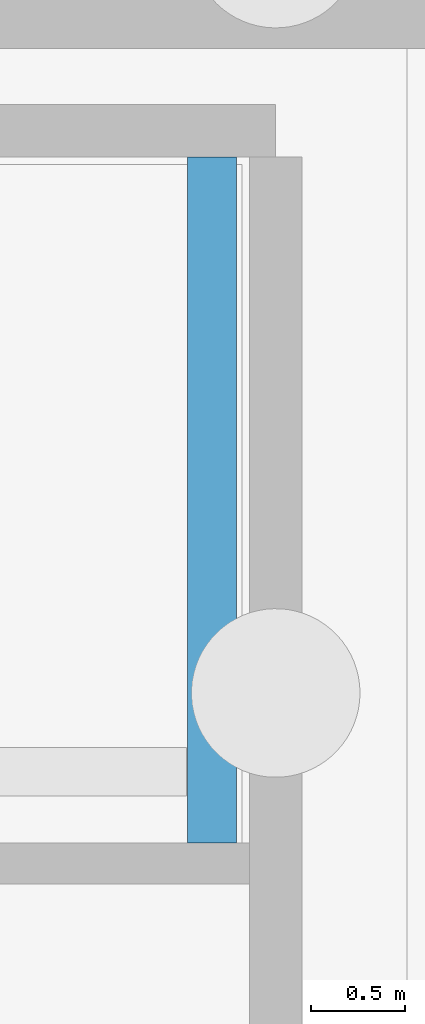
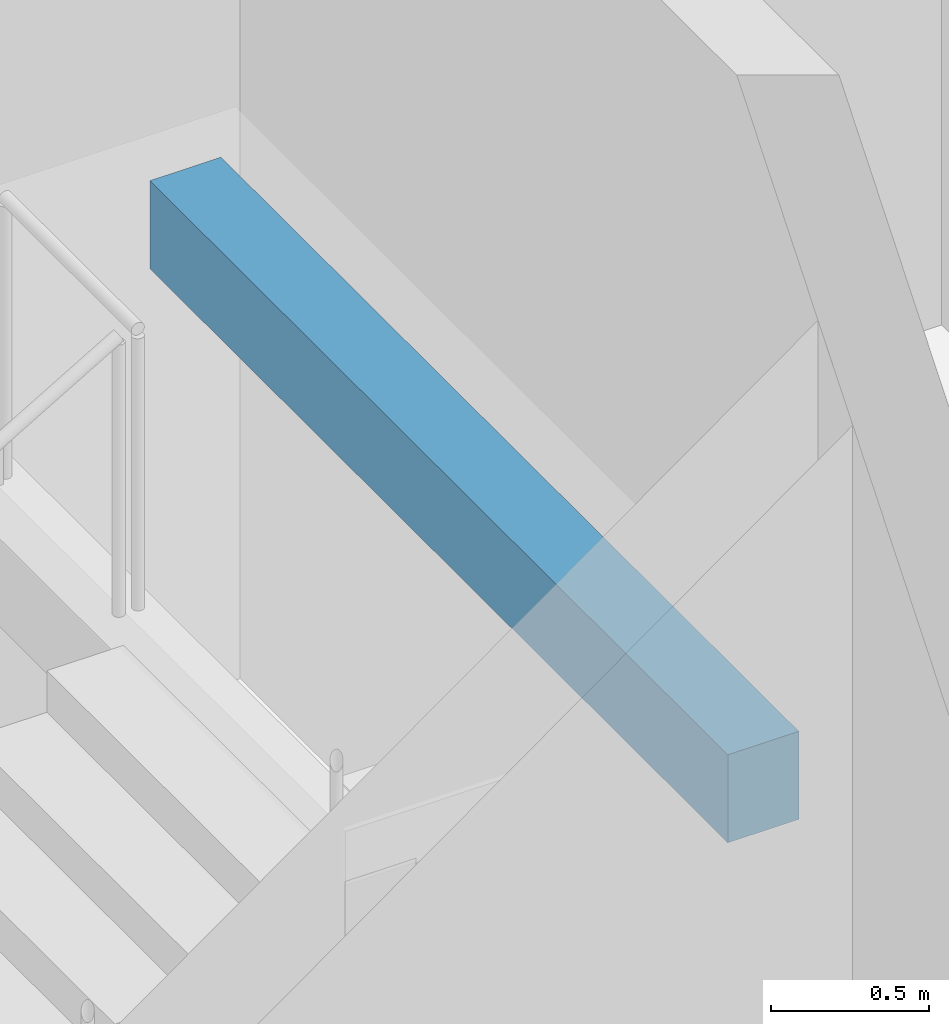
# One storey, part 48 of 98: 1 beam.
"""IFC4 building model written with IfcOpenShell, lengths in metres."""

from ifc_helpers import new_model, si_unit, direction, frame, origin, origin_2d, place, context, subcontext, project, spatial, rectangle, extrude, material, material_profile, profile_set, type_object, element, save


model = new_model("IFC4")

# Units and contexts
model_context = context("Model", 3, precision=1e-05, world=origin(), true_north=direction((0.0, 1.0)))
body_context = subcontext(model_context, "Body", "Model", "MODEL_VIEW")
ifc_project = project(units=[si_unit("LENGTHUNIT", "METRE"), si_unit("AREAUNIT", "SQUARE_METRE"), si_unit("VOLUMEUNIT", "CUBIC_METRE"), si_unit("PLANEANGLEUNIT", "RADIAN"), si_unit("MASSUNIT", "GRAM", prefix="KILO")], contexts=[model_context])

# Site, building, storey
site_placement = place(None, origin())
site = spatial("IfcSite", under=ifc_project, at=site_placement, CompositionType="ELEMENT")
building_placement = place(site_placement, origin())
building = spatial("IfcBuilding", under=site, at=building_placement, Name="Zornivar Specialist Clinic", CompositionType="ELEMENT")
storey_placement = place(building_placement, origin())
storey = spatial("IfcBuildingStorey", under=building, at=storey_placement, Name="L00", CompositionType="ELEMENT", Elevation=0.0)

# Beam
ifc_material = material(Name="Concrete C30/37", Category="concrete")
ifc_material_profile = material_profile(ifc_material, rectangle(XDim=0.260009765625, YDim=0.340087890625, at=origin_2d()), Name="RC 260x340")
ifc_profile_set = profile_set([ifc_material_profile], Name="Concrete C30/37")
beam_type = type_object("IfcBeamType", Name="BM-LAND-260x340", PredefinedType="BEAM", material=ifc_profile_set)
beam_placement = place(storey_placement, frame((162.260009765625, 17.199951171875, 1.8701171875), z_axis=(0.0, 1.0, 0.0), x_axis=(-1.0, 0.0, 0.0)))
element("IfcBeam", 1, at=beam_placement, inside=storey, type_object=beam_type, Name="bm:stair:C6:L00:lE", PredefinedType="BEAM", context=body_context, shape_type="SweptSolid", body=[
    extrude(rectangle(XDim=0.260009765625, YDim=0.340087890625, at=origin_2d()), origin(), (0.0, 0.0, 1.0), 3.66015625),
])

save(model, "model.ifc")
